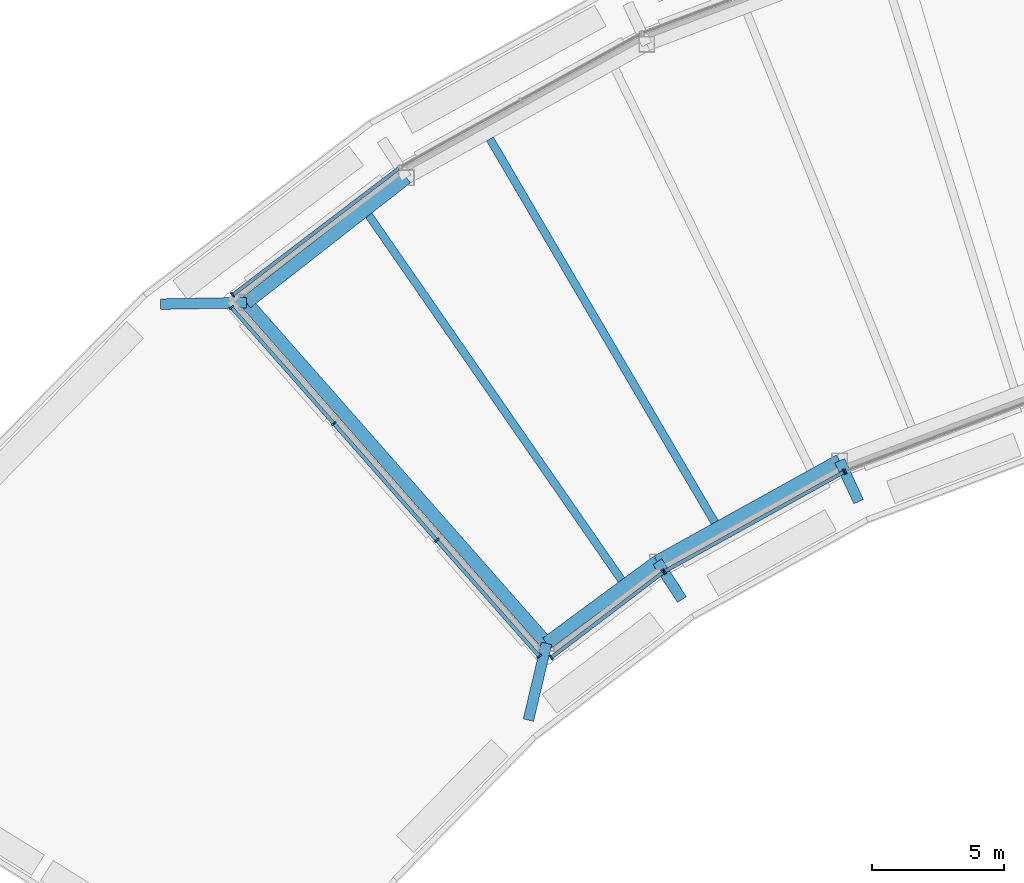
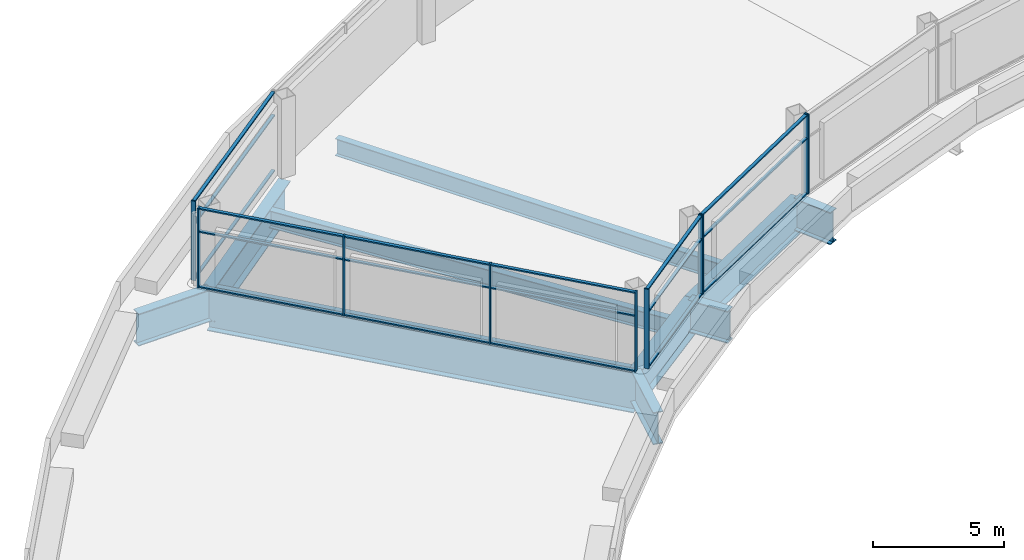
# One storey, part 3 of 17: 28 members, 10 beams, 5 elements without a shape of their own.
"""IFC4 building model written with IfcOpenShell, lengths in metres."""

import ifcopenshell
import ifcopenshell.guid

model = None  # the IFC model being written
_history = None  # IfcOwnerHistory: only IFC2X3 demands one
_inside = {}  # id of a spatial element -> (the spatial element, [elements in it])
_under = {}  # id of a project, library or spatial element -> (it, [spatial elements below it])
_declared = {}  # id of a project -> (the project, [libraries it declares])
_typed = {}  # id of a type object -> (the type object, [elements of that type])
_made_of = {}  # id of a material, layer set ... -> (it, [elements and type objects made of it])


def new_model(schema):
    """Start an empty IFC model of exactly this schema.

    Asked for "IFC4X3", IfcOpenShell would pick the latest addendum, in which some entities
    have other attributes; the version numbers below select the first issue.
    IFC2X3 requires an IfcOwnerHistory on every rooted entity: one is made here for all.
    """
    global model, _history
    if schema == "IFC4X3":
        model = ifcopenshell.file(schema_version=(4, 3, 0, 0))
    else:
        model = ifcopenshell.file(schema=schema)
    _inside.clear()
    _under.clear()
    _declared.clear()
    _typed.clear()
    _made_of.clear()
    _history = None
    if model.schema == "IFC2X3":
        org = make("IfcOrganization", Name="unknown")
        user = make(
            "IfcPersonAndOrganization",
            ThePerson=make("IfcPerson", FamilyName="unknown"),
            TheOrganization=org,
        )
        app = make(
            "IfcApplication",
            ApplicationDeveloper=org,
            Version="unknown",
            ApplicationFullName="unknown",
            ApplicationIdentifier="unknown",
        )
        _history = make(
            "IfcOwnerHistory",
            OwningUser=user,
            OwningApplication=app,
            ChangeAction="ADDED",
            CreationDate=0,
        )
    return model


def make(cls, **values):
    """One entity of the class cls with the attributes given. An attribute that is None is left unset."""
    return model.create_entity(
        cls, **{name: value for name, value in values.items() if value is not None}
    )


def rooted(cls, **values):
    """An entity with a GlobalId (a new one), such as an element, a storey or a relation."""
    return make(cls, GlobalId=ifcopenshell.guid.new(), OwnerHistory=_history, **values)


def si_unit(unit_type, name, prefix=None):
    """IfcSIUnit, for example si_unit("LENGTHUNIT", "METRE", prefix="MILLI")."""
    return make("IfcSIUnit", UnitType=unit_type, Prefix=prefix, Name=name)


def assignment(units):
    """IfcUnitAssignment: the units of a project."""
    return None if units is None else make("IfcUnitAssignment", Units=units)


def point(xyz):
    """IfcCartesianPoint."""
    return None if xyz is None else make("IfcCartesianPoint", Coordinates=xyz)


def direction(xyz):
    """IfcDirection."""
    return None if xyz is None else make("IfcDirection", DirectionRatios=xyz)


def frame(location, z_axis=None, x_axis=None):
    """IfcAxis2Placement3D, a coordinate frame: its origin and axes. An axis left out is left unset."""
    return make(
        "IfcAxis2Placement3D",
        Location=point(location),
        Axis=direction(z_axis),
        RefDirection=direction(x_axis),
    )


def frame_2d(location, x_axis=None):
    """IfcAxis2Placement2D, a coordinate frame in the plane: its origin and x axis."""
    return make(
        "IfcAxis2Placement2D", Location=point(location), RefDirection=direction(x_axis)
    )


def origin():
    """The frame at (0, 0, 0) with its axes left unset."""
    return frame((0.0, 0.0, 0.0))


def origin_2d():
    """The frame at (0, 0) in the plane with its x axis left unset."""
    return frame_2d((0.0, 0.0))


def place(relative_to, where):
    """IfcLocalPlacement: puts the frame where relative to a parent placement (None: the world)."""
    return make(
        "IfcLocalPlacement", PlacementRelTo=relative_to, RelativePlacement=where
    )


def context(
    kind, dimensions, precision=None, world=None, true_north=None, identifier=None
):
    """IfcGeometricRepresentationContext, for example the 3D "Model" context."""
    return make(
        "IfcGeometricRepresentationContext",
        ContextIdentifier=identifier,
        ContextType=kind,
        CoordinateSpaceDimension=dimensions,
        Precision=precision,
        WorldCoordinateSystem=world,
        TrueNorth=true_north,
    )


def subcontext(parent, identifier, kind, view, scale=None):
    """IfcGeometricRepresentationSubContext, for example "Body" below "Model"."""
    return make(
        "IfcGeometricRepresentationSubContext",
        ContextIdentifier=identifier,
        ContextType=kind,
        ParentContext=parent,
        TargetScale=scale,
        TargetView=view,
    )


def project(units=None, contexts=None):
    """IfcProject with its units and contexts."""
    return rooted(
        "IfcProject",
        Name="project",
        RepresentationContexts=contexts,
        UnitsInContext=assignment(units),
    )


def spatial(cls, under=None, at=None, **own):
    """A site, building, storey or space (cls), placed at a placement, below another one or the project."""
    s = rooted(cls, ObjectPlacement=at, **own)
    if under is not None:
        _under.setdefault(under.id(), (under, []))[1].append(s)
    return s


def profile(cls, at=None, kind="AREA", **sizes):
    """A parametric profile (cls). Its sizes go by their IFC names, for example OverallWidth=200.0."""
    return make(cls, ProfileType=kind, Position=at, **sizes)


def rectangle(**sizes):
    """IfcRectangleProfileDef."""
    return profile("IfcRectangleProfileDef", **sizes)


def i_section(**sizes):
    """IfcIShapeProfileDef."""
    return profile("IfcIShapeProfileDef", **sizes)


def extrude(swept, where, along, depth):
    """IfcExtrudedAreaSolid: the profile swept, set in the frame where, extruded along a direction by depth."""
    return make(
        "IfcExtrudedAreaSolid",
        SweptArea=swept,
        Position=where,
        ExtrudedDirection=direction(along),
        Depth=depth,
    )


def shape(context_of_items, identifier, shape_type, items):
    """IfcShapeRepresentation: the items that make up one representation, for example the "Body"."""
    return make(
        "IfcShapeRepresentation",
        ContextOfItems=context_of_items,
        RepresentationIdentifier=identifier,
        RepresentationType=shape_type,
        Items=items,
    )


def material(Name=None, Category=None):
    """IfcMaterial."""
    return make("IfcMaterial", Name=Name, Category=Category)


def layer(
    of_material, thickness, ventilated=None, Name=None, Category=None, Priority=None
):
    """IfcMaterialLayer: one layer of a wall or slab, of a material (None: an air gap)."""
    return make(
        "IfcMaterialLayer",
        Material=of_material,
        LayerThickness=thickness,
        IsVentilated=ventilated,
        Name=Name,
        Category=Category,
        Priority=Priority,
    )


def layer_set(layers, Name=None):
    """IfcMaterialLayerSet."""
    return make("IfcMaterialLayerSet", MaterialLayers=layers, LayerSetName=Name)


def material_profile(
    of_material, cross_section, Name=None, Category=None, Priority=None
):
    """IfcMaterialProfile: a cross section and its material."""
    return make(
        "IfcMaterialProfile",
        Name=Name,
        Material=of_material,
        Profile=cross_section,
        Priority=Priority,
        Category=Category,
    )


def profile_set(profiles, Name=None, composite=None):
    """IfcMaterialProfileSet."""
    return make(
        "IfcMaterialProfileSet",
        Name=Name,
        MaterialProfiles=profiles,
        CompositeProfile=composite,
    )


def made_of(thing, what):
    """Note that an element or type object is made of a material, layer set ...; save() writes the relation."""
    if what is not None:
        _made_of.setdefault(what.id(), (what, []))[1].append(thing)
    return thing


def type_object(cls, material=None, **own):
    """A type object (cls), such as IfcWallType, which elements share."""
    return made_of(rooted(cls, **own), material)


def element(
    cls,
    number,
    at=None,
    inside=None,
    cuts=None,
    type_object=None,
    material=None,
    context=None,
    identifier="Body",
    shape_type=None,
    held_by="IfcProductDefinitionShape",
    body=None,
    shapes=None,
    **own,
):
    """One element of the class cls, such as IfcWall. Its Tag is "e" and its number.

    at: its placement. inside: the storey or other place that contains it. cuts: it is an
    opening in that element (IfcRelVoidsElement). A single representation is given by context,
    identifier, shape_type and body (its items); several are given by shapes. held_by: the class
    of the entity that holds the representations. save() writes the other relations.
    """
    e = rooted(cls, Tag="e%d" % number, ObjectPlacement=at, **own)
    if body is not None:
        shapes = [shape(context, identifier, shape_type, body)]
    if shapes is not None:
        e.Representation = make(held_by, Representations=shapes)
    if inside is not None:
        _inside.setdefault(inside.id(), (inside, []))[1].append(e)
    if cuts is not None:
        rooted(
            "IfcRelVoidsElement", RelatingBuildingElement=cuts, RelatedOpeningElement=e
        )
    if type_object is not None:
        _typed.setdefault(type_object.id(), (type_object, []))[1].append(e)
    return made_of(e, material)


def aggregate(whole, parts):
    """IfcRelAggregates: a whole, such as a stair, and the parts it consists of."""
    return rooted("IfcRelAggregates", RelatingObject=whole, RelatedObjects=parts)


def save(model, path):
    """Write the relations noted so far, then the file.

    IfcRelAggregates (storeys below a building ...), IfcRelContainedInSpatialStructure (elements
    in a storey), IfcRelDefinesByType, IfcRelAssociatesMaterial and IfcRelDeclares: one each for
    every whole, place, type object, material and project.
    """
    for whole, parts in _under.values():
        aggregate(whole, parts)
    for where, things in _inside.values():
        rooted(
            "IfcRelContainedInSpatialStructure",
            RelatedElements=things,
            RelatingStructure=where,
        )
    for kind, things in _typed.values():
        rooted("IfcRelDefinesByType", RelatedObjects=things, RelatingType=kind)
    for what, things in _made_of.values():
        rooted("IfcRelAssociatesMaterial", RelatedObjects=things, RelatingMaterial=what)
    for by, libraries in _declared.values():
        rooted("IfcRelDeclares", RelatingContext=by, RelatedDefinitions=libraries)
    model.write(path)


model = new_model("IFC4")

# Units and contexts
model_context = context("Model", 3, precision=1e-05, world=origin(), true_north=direction((0.0, 1.0)))
body_context = subcontext(model_context, "Body", "Model", "MODEL_VIEW")
ifc_project = project(units=[si_unit("LENGTHUNIT", "METRE"), si_unit("AREAUNIT", "SQUARE_METRE"), si_unit("VOLUMEUNIT", "CUBIC_METRE"), si_unit("PLANEANGLEUNIT", "RADIAN"), si_unit("MASSUNIT", "GRAM", prefix="KILO")], contexts=[model_context])

# Site, building, storey
site_placement = place(None, origin())
site = spatial("IfcSite", under=ifc_project, at=site_placement, CompositionType="ELEMENT")
building_placement = place(site_placement, origin())
building = spatial("IfcBuilding", under=site, at=building_placement, Name="Tuul Gate Civic Tower", CompositionType="ELEMENT")
storey_placement = place(building_placement, frame((0.0, 0.0, 360.10009765625)))
storey = spatial("IfcBuildingStorey", under=building, at=storey_placement, Name="Crown tier 1 lower", CompositionType="ELEMENT", Elevation=360.10009765625)

# Curtain wall, member
ifc_material_1 = material(Name="Aluminium", Category="aluminium")
ifc_layer = layer(ifc_material_1, 0.199951171875)
ifc_layer_set = layer_set([ifc_layer], Name="Aluminium")
curtain_wall_type = type_object("IfcCurtainWallType", Name="Curtain wall CW5", PredefinedType="NOTDEFINED", material=ifc_layer_set)
curtain_wall_1_placement = place(storey_placement, origin())
curtain_wall_1 = element("IfcCurtainWall", 1, at=curtain_wall_1_placement, inside=storey, type_object=curtain_wall_type, Name="Curtain wall CW5", PredefinedType="NOTDEFINED")
ifc_material_2 = material(Name="Aluminium", Category="aluminium")
ifc_material_profile_1 = material_profile(ifc_material_2, rectangle(XDim=0.199951171875, YDim=0.06005859375, at=origin_2d()), Name="CW5 mullion")
ifc_profile_set_1 = profile_set([ifc_material_profile_1], Name="Aluminium")
member_type_1 = type_object("IfcMemberType", Name="CW5 mullion", PredefinedType="MULLION", material=ifc_profile_set_1)
member_1_placement = place(storey_placement, frame((-43.68212890625, -4.308837890625, 0.0), z_axis=(0.0, 0.0, 1.0), x_axis=(0.605782498172, -0.795630294112, 0.0)))
member_1 = element("IfcMember", 2, at=member_1_placement, type_object=member_type_1, Name="Mullion", PredefinedType="MULLION", context=body_context, shape_type="SweptSolid", body=[
    extrude(rectangle(XDim=0.199951171875, YDim=0.06005859375, at=origin_2d()), origin(), (0.0, 0.0, 1.0), 3.699951171875),
])

# Curtain wall, members
curtain_wall_2_placement = place(storey_placement, origin())
curtain_wall_2 = element("IfcCurtainWall", 3, at=curtain_wall_2_placement, inside=storey, type_object=curtain_wall_type, Name="Curtain wall CW5", PredefinedType="NOTDEFINED")
member_2_placement = place(storey_placement, frame((-43.729248046875, -4.786376953125, 0.0), z_axis=(0.0, 0.0, 1.0), x_axis=(0.749793201681, 0.661672241153, 0.0)))
member_2 = element("IfcMember", 4, at=member_2_placement, type_object=member_type_1, Name="Mullion", PredefinedType="MULLION", context=body_context, shape_type="SweptSolid", body=[
    extrude(rectangle(XDim=0.199951171875, YDim=0.06005859375, at=origin_2d()), origin(), (0.0, 0.0, 1.0), 3.699951171875),
])
member_3_placement = place(storey_placement, frame((-39.85693359375, -9.17431640625, 0.0), z_axis=(0.0, 0.0, 1.0), x_axis=(0.749793201681, 0.661672241153, 0.0)))
member_3 = element("IfcMember", 5, at=member_3_placement, type_object=member_type_1, Name="Mullion", PredefinedType="MULLION", context=body_context, shape_type="SweptSolid", body=[
    extrude(rectangle(XDim=0.199951171875, YDim=0.06005859375, at=origin_2d()), origin(), (0.0, 0.0, 1.0), 3.699951171875),
])
member_4_placement = place(storey_placement, frame((-35.965087890625, -13.584716796875, 0.0), z_axis=(0.0, 0.0, 1.0), x_axis=(0.749793201681, 0.661672241153, 0.0)))
member_4 = element("IfcMember", 6, at=member_4_placement, type_object=member_type_1, Name="Mullion", PredefinedType="MULLION", context=body_context, shape_type="SweptSolid", body=[
    extrude(rectangle(XDim=0.199951171875, YDim=0.06005859375, at=origin_2d()), origin(), (0.0, 0.0, 1.0), 3.699951171875),
])
member_5_placement = place(storey_placement, frame((-32.0927734375, -17.972412109375, 0.0), z_axis=(0.0, 0.0, 1.0), x_axis=(0.749793201681, 0.661672241153, 0.0)))
member_5 = element("IfcMember", 7, at=member_5_placement, type_object=member_type_1, Name="Mullion", PredefinedType="MULLION", context=body_context, shape_type="SweptSolid", body=[
    extrude(rectangle(XDim=0.199951171875, YDim=0.06005859375, at=origin_2d()), origin(), (0.0, 0.0, 1.0), 3.699951171875),
])

curtain_wall_3_placement = place(storey_placement, origin())
curtain_wall_3 = element("IfcCurtainWall", 8, at=curtain_wall_3_placement, inside=storey, type_object=curtain_wall_type, Name="Curtain wall CW5", PredefinedType="NOTDEFINED")
member_6_placement = place(storey_placement, frame((-31.64208984375, -18.016845703125, 0.0), z_axis=(0.0, 0.0, 1.0), x_axis=(-0.605752057949, 0.79565346998, 0.0)))
member_6 = element("IfcMember", 9, at=member_6_placement, type_object=member_type_1, Name="Mullion", PredefinedType="MULLION", context=body_context, shape_type="SweptSolid", body=[
    extrude(rectangle(XDim=0.199951171875, YDim=0.06005859375, at=origin_2d()), origin(), (0.0, 0.0, 1.0), 3.699951171875),
])
member_7_placement = place(storey_placement, frame((-27.407958984375, -14.793212890625, 0.0), z_axis=(0.0, 0.0, 1.0), x_axis=(-0.605752057949, 0.79565346998, 0.0)))
member_7 = element("IfcMember", 10, at=member_7_placement, type_object=member_type_1, Name="Mullion", PredefinedType="MULLION", context=body_context, shape_type="SweptSolid", body=[
    extrude(rectangle(XDim=0.199951171875, YDim=0.06005859375, at=origin_2d()), origin(), (0.0, 0.0, 1.0), 3.699951171875),
])

curtain_wall_4_placement = place(storey_placement, origin())
curtain_wall_4 = element("IfcCurtainWall", 11, at=curtain_wall_4_placement, inside=storey, type_object=curtain_wall_type, Name="Curtain wall CW5", PredefinedType="NOTDEFINED")
member_8_placement = place(storey_placement, frame((-27.357666015625, -14.760498046875, 0.0), z_axis=(0.0, 0.0, 1.0), x_axis=(-0.484784498431, 0.874633631917, 0.0)))
member_8 = element("IfcMember", 12, at=member_8_placement, type_object=member_type_1, Name="Mullion", PredefinedType="MULLION", context=body_context, shape_type="SweptSolid", body=[
    extrude(rectangle(XDim=0.199951171875, YDim=0.06005859375, at=origin_2d()), origin(), (0.0, 0.0, 1.0), 3.699951171875),
])
member_9_placement = place(storey_placement, frame((-20.57421875, -11.00048828125, 0.0), z_axis=(0.0, 0.0, 1.0), x_axis=(-0.484784498431, 0.874633631917, 0.0)))
member_9 = element("IfcMember", 13, at=member_9_placement, type_object=member_type_1, Name="Mullion", PredefinedType="MULLION", context=body_context, shape_type="SweptSolid", body=[
    extrude(rectangle(XDim=0.199951171875, YDim=0.06005859375, at=origin_2d()), origin(), (0.0, 0.0, 1.0), 3.699951171875),
])

# Curtain wall, member
curtain_wall_5_placement = place(storey_placement, origin())
curtain_wall_5 = element("IfcCurtainWall", 14, at=curtain_wall_5_placement, inside=storey, type_object=curtain_wall_type, Name="Curtain wall CW5", PredefinedType="NOTDEFINED")
member_10_placement = place(storey_placement, frame((-20.52001953125, -10.975341796875, 0.0), z_axis=(0.0, 0.0, 1.0), x_axis=(-0.353743883051, 0.935342325143, 0.0)))
member_10 = element("IfcMember", 15, at=member_10_placement, type_object=member_type_1, Name="Mullion", PredefinedType="MULLION", context=body_context, shape_type="SweptSolid", body=[
    extrude(rectangle(XDim=0.199951171875, YDim=0.06005859375, at=origin_2d()), origin(), (0.0, 0.0, 1.0), 3.699951171875),
])
aggregate(curtain_wall_5, [member_10])

# Member
ifc_material_3 = material(Name="Aluminium", Category="aluminium")
ifc_material_profile_2 = material_profile(ifc_material_3, rectangle(XDim=0.139892578125, YDim=0.06005859375, at=origin_2d()), Name="CW5 transom")
ifc_profile_set_2 = profile_set([ifc_material_profile_2], Name="Aluminium")
member_type_2 = type_object("IfcMemberType", Name="CW5 transom", PredefinedType="USERDEFINED", material=ifc_profile_set_2)
member_11_placement = place(storey_placement, frame((-37.40869140625, 0.4677734375, 0.02978515625), z_axis=(-0.795615048979, -0.605802520495, 0.0), x_axis=(0.605802520495, -0.795615048979, 0.0)))
member_11 = element("IfcMember", 16, at=member_11_placement, type_object=member_type_2, Name="Transom", ObjectType="TRANSOM", PredefinedType="USERDEFINED", context=body_context, shape_type="SweptSolid", body=[
    extrude(rectangle(XDim=0.139892578125, YDim=0.06005859375, at=origin_2d()), origin(), (0.0, 0.0, 1.0), 7.85498046875),
])

member_12_placement = place(storey_placement, frame((-37.40869140625, 0.4677734375, 2.599853515625), z_axis=(-0.795615048979, -0.605802520495, 0.0), x_axis=(0.605802520495, -0.795615048979, 0.0)))
member_12 = element("IfcMember", 17, at=member_12_placement, type_object=member_type_2, Name="Transom", ObjectType="TRANSOM", PredefinedType="USERDEFINED", context=body_context, shape_type="SweptSolid", body=[
    extrude(rectangle(XDim=0.139892578125, YDim=0.06005859375, at=origin_2d()), origin(), (0.0, 0.0, 1.0), 7.85498046875),
])

member_13_placement = place(storey_placement, frame((-37.40869140625, 0.4677734375, 3.669921875), z_axis=(-0.795615048979, -0.605802520495, 0.0), x_axis=(0.605802520495, -0.795615048979, 0.0)))
member_13 = element("IfcMember", 18, at=member_13_placement, type_object=member_type_2, Name="Transom", ObjectType="TRANSOM", PredefinedType="USERDEFINED", context=body_context, shape_type="SweptSolid", body=[
    extrude(rectangle(XDim=0.139892578125, YDim=0.06005859375, at=origin_2d()), origin(), (0.0, 0.0, 1.0), 7.85498046875),
])

aggregate(curtain_wall_1, [member_1, member_11, member_12, member_13])

member_14_placement = place(storey_placement, frame((-43.709228515625, -4.80908203125, 0.02978515625), z_axis=(0.661662066091, -0.749802180776, 0.0), x_axis=(0.749802180776, 0.661662066091, 0.0)))
member_14 = element("IfcMember", 19, at=member_14_placement, type_object=member_type_2, Name="Transom", ObjectType="TRANSOM", PredefinedType="USERDEFINED", context=body_context, shape_type="SweptSolid", body=[
    extrude(rectangle(XDim=0.139892578125, YDim=0.06005859375, at=origin_2d()), origin(), (0.0, 0.0, 1.0), 5.7919921875),
])

member_15_placement = place(storey_placement, frame((-43.709228515625, -4.80908203125, 2.599853515625), z_axis=(0.661662066091, -0.749802180776, 0.0), x_axis=(0.749802180776, 0.661662066091, 0.0)))
member_15 = element("IfcMember", 20, at=member_15_placement, type_object=member_type_2, Name="Transom", ObjectType="TRANSOM", PredefinedType="USERDEFINED", context=body_context, shape_type="SweptSolid", body=[
    extrude(rectangle(XDim=0.139892578125, YDim=0.06005859375, at=origin_2d()), origin(), (0.0, 0.0, 1.0), 5.7919921875),
])

member_16_placement = place(storey_placement, frame((-43.709228515625, -4.80908203125, 3.669921875), z_axis=(0.661662066091, -0.749802180776, 0.0), x_axis=(0.749802180776, 0.661662066091, 0.0)))
member_16 = element("IfcMember", 21, at=member_16_placement, type_object=member_type_2, Name="Transom", ObjectType="TRANSOM", PredefinedType="USERDEFINED", context=body_context, shape_type="SweptSolid", body=[
    extrude(rectangle(XDim=0.139892578125, YDim=0.06005859375, at=origin_2d()), origin(), (0.0, 0.0, 1.0), 5.7919921875),
])

member_17_placement = place(storey_placement, frame((-39.837158203125, -9.19677734375, 0.02978515625), z_axis=(0.661660469075, -0.749803590058, 0.0), x_axis=(0.749803590058, 0.661660469075, 0.0)))
member_17 = element("IfcMember", 22, at=member_17_placement, type_object=member_type_2, Name="Transom", ObjectType="TRANSOM", PredefinedType="USERDEFINED", context=body_context, shape_type="SweptSolid", body=[
    extrude(rectangle(XDim=0.139892578125, YDim=0.06005859375, at=origin_2d()), origin(), (0.0, 0.0, 1.0), 5.822265625),
])

member_18_placement = place(storey_placement, frame((-39.837158203125, -9.19677734375, 2.599853515625), z_axis=(0.661660469075, -0.749803590058, 0.0), x_axis=(0.749803590058, 0.661660469075, 0.0)))
member_18 = element("IfcMember", 23, at=member_18_placement, type_object=member_type_2, Name="Transom", ObjectType="TRANSOM", PredefinedType="USERDEFINED", context=body_context, shape_type="SweptSolid", body=[
    extrude(rectangle(XDim=0.139892578125, YDim=0.06005859375, at=origin_2d()), origin(), (0.0, 0.0, 1.0), 5.822265625),
])

member_19_placement = place(storey_placement, frame((-39.837158203125, -9.19677734375, 3.669921875), z_axis=(0.661660469075, -0.749803590058, 0.0), x_axis=(0.749803590058, 0.661660469075, 0.0)))
member_19 = element("IfcMember", 24, at=member_19_placement, type_object=member_type_2, Name="Transom", ObjectType="TRANSOM", PredefinedType="USERDEFINED", context=body_context, shape_type="SweptSolid", body=[
    extrude(rectangle(XDim=0.139892578125, YDim=0.06005859375, at=origin_2d()), origin(), (0.0, 0.0, 1.0), 5.822265625),
])

member_20_placement = place(storey_placement, frame((-35.945068359375, -13.607177734375, 0.02978515625), z_axis=(0.661662066091, -0.749802180776, 0.0), x_axis=(0.749802180776, 0.661662066091, 0.0)))
member_20 = element("IfcMember", 25, at=member_20_placement, type_object=member_type_2, Name="Transom", ObjectType="TRANSOM", PredefinedType="USERDEFINED", context=body_context, shape_type="SweptSolid", body=[
    extrude(rectangle(XDim=0.139892578125, YDim=0.06005859375, at=origin_2d()), origin(), (0.0, 0.0, 1.0), 5.7919921875),
])

member_21_placement = place(storey_placement, frame((-35.945068359375, -13.607177734375, 2.599853515625), z_axis=(0.661662066091, -0.749802180776, 0.0), x_axis=(0.749802180776, 0.661662066091, 0.0)))
member_21 = element("IfcMember", 26, at=member_21_placement, type_object=member_type_2, Name="Transom", ObjectType="TRANSOM", PredefinedType="USERDEFINED", context=body_context, shape_type="SweptSolid", body=[
    extrude(rectangle(XDim=0.139892578125, YDim=0.06005859375, at=origin_2d()), origin(), (0.0, 0.0, 1.0), 5.7919921875),
])

member_22_placement = place(storey_placement, frame((-35.945068359375, -13.607177734375, 3.669921875), z_axis=(0.661662066091, -0.749802180776, 0.0), x_axis=(0.749802180776, 0.661662066091, 0.0)))
member_22 = element("IfcMember", 27, at=member_22_placement, type_object=member_type_2, Name="Transom", ObjectType="TRANSOM", PredefinedType="USERDEFINED", context=body_context, shape_type="SweptSolid", body=[
    extrude(rectangle(XDim=0.139892578125, YDim=0.06005859375, at=origin_2d()), origin(), (0.0, 0.0, 1.0), 5.7919921875),
])

aggregate(curtain_wall_2, [member_2, member_3, member_4, member_5, member_14, member_15, member_16, member_17, member_18, member_19, member_20, member_21, member_22])

member_23_placement = place(storey_placement, frame((-31.6181640625, -17.99853515625, 0.02978515625), z_axis=(0.795658535859, 0.605745403874, 0.0), x_axis=(-0.605745403874, 0.795658535859, 0.0)))
member_23 = element("IfcMember", 28, at=member_23_placement, type_object=member_type_2, Name="Transom", ObjectType="TRANSOM", PredefinedType="USERDEFINED", context=body_context, shape_type="SweptSolid", body=[
    extrude(rectangle(XDim=0.139892578125, YDim=0.06005859375, at=origin_2d()), origin(), (0.0, 0.0, 1.0), 5.26171875),
])

member_24_placement = place(storey_placement, frame((-31.6181640625, -17.99853515625, 2.599853515625), z_axis=(0.795658535859, 0.605745403874, 0.0), x_axis=(-0.605745403874, 0.795658535859, 0.0)))
member_24 = element("IfcMember", 29, at=member_24_placement, type_object=member_type_2, Name="Transom", ObjectType="TRANSOM", PredefinedType="USERDEFINED", context=body_context, shape_type="SweptSolid", body=[
    extrude(rectangle(XDim=0.139892578125, YDim=0.06005859375, at=origin_2d()), origin(), (0.0, 0.0, 1.0), 5.26171875),
])

member_25_placement = place(storey_placement, frame((-31.6181640625, -17.99853515625, 3.669921875), z_axis=(0.795658535859, 0.605745403874, 0.0), x_axis=(-0.605745403874, 0.795658535859, 0.0)))
member_25 = element("IfcMember", 30, at=member_25_placement, type_object=member_type_2, Name="Transom", ObjectType="TRANSOM", PredefinedType="USERDEFINED", context=body_context, shape_type="SweptSolid", body=[
    extrude(rectangle(XDim=0.139892578125, YDim=0.06005859375, at=origin_2d()), origin(), (0.0, 0.0, 1.0), 5.26171875),
])

aggregate(curtain_wall_3, [member_6, member_7, member_23, member_24, member_25])

member_26_placement = place(storey_placement, frame((-27.33154296875, -14.745849609375, 0.02978515625), z_axis=(0.87463720134, 0.48477805853, 0.0), x_axis=(-0.48477805853, 0.87463720134, 0.0)))
member_26 = element("IfcMember", 31, at=member_26_placement, type_object=member_type_2, Name="Transom", ObjectType="TRANSOM", PredefinedType="USERDEFINED", context=body_context, shape_type="SweptSolid", body=[
    extrude(rectangle(XDim=0.139892578125, YDim=0.06005859375, at=origin_2d()), origin(), (0.0, 0.0, 1.0), 7.69580078125),
])

member_27_placement = place(storey_placement, frame((-27.33154296875, -14.745849609375, 2.599853515625), z_axis=(0.87463720134, 0.48477805853, 0.0), x_axis=(-0.48477805853, 0.87463720134, 0.0)))
member_27 = element("IfcMember", 32, at=member_27_placement, type_object=member_type_2, Name="Transom", ObjectType="TRANSOM", PredefinedType="USERDEFINED", context=body_context, shape_type="SweptSolid", body=[
    extrude(rectangle(XDim=0.139892578125, YDim=0.06005859375, at=origin_2d()), origin(), (0.0, 0.0, 1.0), 7.69580078125),
])

member_28_placement = place(storey_placement, frame((-27.33154296875, -14.745849609375, 3.669921875), z_axis=(0.87463720134, 0.48477805853, 0.0), x_axis=(-0.48477805853, 0.87463720134, 0.0)))
member_28 = element("IfcMember", 33, at=member_28_placement, type_object=member_type_2, Name="Transom", ObjectType="TRANSOM", PredefinedType="USERDEFINED", context=body_context, shape_type="SweptSolid", body=[
    extrude(rectangle(XDim=0.139892578125, YDim=0.06005859375, at=origin_2d()), origin(), (0.0, 0.0, 1.0), 7.69580078125),
])

aggregate(curtain_wall_4, [member_8, member_9, member_26, member_27, member_28])

# Beams
ifc_material_4 = material(Name="Steel S355", Category="steel")
ifc_material_profile_3 = material_profile(ifc_material_4, i_section(OverallWidth=0.39990234375, OverallDepth=1.5, WebThickness=0.02490234375, FlangeThickness=0.0400390625, at=origin_2d()), Name="PG1500x400x25x40")
ifc_profile_set_3 = profile_set([ifc_material_profile_3], Name="Steel S355")
beam_type_1 = type_object("IfcBeamType", Name="STR-FLOOR BEAM-PG1500x400x25x40", PredefinedType="BEAM", material=ifc_profile_set_3)
beam_1_placement = place(storey_placement, frame((-46.406005859375, -4.65771484375, -1.050048828125), z_axis=(0.999847321655, 0.017473791233, 0.0), x_axis=(-0.017473791233, 0.999847321655, 0.0)))
element("IfcBeam", 34, at=beam_1_placement, inside=storey, type_object=beam_type_1, Name="Ring girder stub", PredefinedType="BEAM", context=body_context, shape_type="SweptSolid", body=[
    extrude(i_section(OverallWidth=0.39990234375, OverallDepth=1.5, WebThickness=0.02490234375, FlangeThickness=0.0400390625, at=origin_2d()), origin(), (0.0, 0.0, 1.0), 3.241455078125),
])
beam_2_placement = place(storey_placement, frame((-32.505615234375, -20.383056640625, -1.050048828125), z_axis=(0.231052078837, 0.972941384085, 0.0), x_axis=(-0.972941384085, 0.231052078837, 0.0)))
element("IfcBeam", 35, at=beam_2_placement, inside=storey, type_object=beam_type_1, Name="Ring girder stub", PredefinedType="BEAM", context=body_context, shape_type="SweptSolid", body=[
    extrude(i_section(OverallWidth=0.39990234375, OverallDepth=1.5, WebThickness=0.02490234375, FlangeThickness=0.0400390625, at=origin_2d()), origin(), (0.0, 0.0, 1.0), 2.980712890625),
])
beam_3_placement = place(storey_placement, frame((-26.698974609375, -15.82470703125, -1.050048828125), z_axis=(-0.546678278331, 0.837342737475, 0.0), x_axis=(-0.837342737475, -0.546678278331, 0.0)))
element("IfcBeam", 36, at=beam_3_placement, inside=storey, type_object=beam_type_1, Name="Ring girder stub", PredefinedType="BEAM", context=body_context, shape_type="SweptSolid", body=[
    extrude(i_section(OverallWidth=0.39990234375, OverallDepth=1.5, WebThickness=0.02490234375, FlangeThickness=0.0400390625, at=origin_2d()), origin(), (0.0, 0.0, 1.0), 1.705078125),
])
beam_4_placement = place(storey_placement, frame((-20.02099609375, -12.123779296875, -1.050048828125), z_axis=(-0.420337445241, 0.907367859321, 0.0), x_axis=(-0.907367859321, -0.420337445241, 0.0)))
element("IfcBeam", 37, at=beam_4_placement, inside=storey, type_object=beam_type_1, Name="Ring girder stub", PredefinedType="BEAM", context=body_context, shape_type="SweptSolid", body=[
    extrude(i_section(OverallWidth=0.39990234375, OverallDepth=1.5, WebThickness=0.02490234375, FlangeThickness=0.0400390625, at=origin_2d()), origin(), (0.0, 0.0, 1.0), 1.705810546875),
])
ifc_material_5 = material(Name="Steel S355", Category="steel")
ifc_material_profile_4 = material_profile(ifc_material_5, i_section(OverallWidth=0.300048828125, OverallDepth=0.800048828125, WebThickness=0.013916015625, FlangeThickness=0.02490234375, at=origin_2d()), Name="PG800x300x14x25")
ifc_profile_set_4 = profile_set([ifc_material_profile_4], Name="Steel S355")
beam_type_2 = type_object("IfcBeamType", Name="STR-FLOOR BEAM-PG800x300x14x25", PredefinedType="BEAM", material=ifc_profile_set_4)
beam_5_placement = place(storey_placement, frame((-25.4599609375, -12.90771484375, -0.7001953125), z_axis=(-0.505775799245, 0.862664964455, 0.0), x_axis=(-0.862664964455, -0.505775799245, 0.0)))
element("IfcBeam", 38, at=beam_5_placement, inside=storey, type_object=beam_type_2, Name="Floor beam", PredefinedType="BEAM", context=body_context, shape_type="SweptSolid", body=[
    extrude(i_section(OverallWidth=0.300048828125, OverallDepth=0.800048828125, WebThickness=0.013916015625, FlangeThickness=0.02490234375, at=origin_2d()), origin(), (0.0, 0.0, 1.0), 16.804443359375),
])
beam_6_placement = place(storey_placement, frame((-28.9853515625, -15.084716796875, -0.7001953125), z_axis=(-0.569618744549, 0.821909049627, 0.0), x_axis=(-0.821909049627, -0.569618744549, 0.0)))
element("IfcBeam", 39, at=beam_6_placement, inside=storey, type_object=beam_type_2, Name="Floor beam", PredefinedType="BEAM", context=body_context, shape_type="SweptSolid", body=[
    extrude(i_section(OverallWidth=0.300048828125, OverallDepth=0.800048828125, WebThickness=0.013916015625, FlangeThickness=0.02490234375, at=origin_2d()), origin(), (0.0, 0.0, 1.0), 16.768310546875),
])
ifc_material_6 = material(Name="Steel S355", Category="steel")
ifc_material_profile_5 = material_profile(ifc_material_6, i_section(OverallWidth=0.5, OverallDepth=1.60009765625, WebThickness=0.02490234375, FlangeThickness=0.044921875, at=origin_2d()), Name="PG1600x500x25x45")
ifc_profile_set_5 = profile_set([ifc_material_profile_5], Name="Steel S355")
beam_type_3 = type_object("IfcBeamType", Name="STR-RING BEAM-PG1600x500x25x45", PredefinedType="BEAM", material=ifc_profile_set_5)
beam_7_placement = place(storey_placement, frame((-37.114013671875, 0.1259765625, -1.10009765625), z_axis=(-0.788044136863, -0.615618744319, 0.0), x_axis=(0.615618744319, -0.788044136863, 0.0)))
element("IfcBeam", 40, at=beam_7_placement, inside=storey, type_object=beam_type_3, Name="Ring girder", PredefinedType="BEAM", context=body_context, shape_type="SweptSolid", body=[
    extrude(i_section(OverallWidth=0.5, OverallDepth=1.60009765625, WebThickness=0.02490234375, FlangeThickness=0.044921875, at=origin_2d()), origin(), (0.0, 0.0, 1.0), 7.678466796875),
])
beam_8_placement = place(storey_placement, frame((-31.81689453125, -17.48291015625, -1.10009765625), z_axis=(0.804902411646, 0.593407202287, 0.0), x_axis=(-0.593407202287, 0.804902411646, 0.0)))
element("IfcBeam", 41, at=beam_8_placement, inside=storey, type_object=beam_type_3, Name="Ring girder", PredefinedType="BEAM", context=body_context, shape_type="SweptSolid", body=[
    extrude(i_section(OverallWidth=0.5, OverallDepth=1.60009765625, WebThickness=0.02490234375, FlangeThickness=0.044921875, at=origin_2d()), origin(), (0.0, 0.0, 1.0), 5.200439453125),
])
beam_9_placement = place(storey_placement, frame((-27.631103515625, -14.39697265625, -1.10009765625), z_axis=(0.87461132365, 0.484824744154, 0.0), x_axis=(-0.484824744154, 0.87461132365, 0.0)))
element("IfcBeam", 42, at=beam_9_placement, inside=storey, type_object=beam_type_3, Name="Ring girder", PredefinedType="BEAM", context=body_context, shape_type="SweptSolid", body=[
    extrude(i_section(OverallWidth=0.5, OverallDepth=1.60009765625, WebThickness=0.02490234375, FlangeThickness=0.044921875, at=origin_2d()), origin(), (0.0, 0.0, 1.0), 7.88134765625),
])
ifc_material_7 = material(Name="Steel S355", Category="steel")
ifc_material_profile_6 = material_profile(ifc_material_7, i_section(OverallWidth=0.5, OverallDepth=1.89990234375, WebThickness=0.02490234375, FlangeThickness=0.0400390625, at=origin_2d()), Name="PG1900x500x25x40")
ifc_profile_set_6 = profile_set([ifc_material_profile_6], Name="Steel S355")
beam_type_4 = type_object("IfcBeamType", Name="STR-RING BEAM-PG1900x500x25x40", PredefinedType="BEAM", material=ifc_profile_set_6)
beam_10_placement = place(storey_placement, frame((-43.1650390625, -4.60107421875, -1.25), z_axis=(0.661025967606, -0.750363025575, 0.0), x_axis=(0.750363025575, 0.661025967606, 0.0)))
element("IfcBeam", 43, at=beam_10_placement, inside=storey, type_object=beam_type_4, Name="Ring girder", PredefinedType="BEAM", context=body_context, shape_type="SweptSolid", body=[
    extrude(i_section(OverallWidth=0.5, OverallDepth=1.89990234375, WebThickness=0.02490234375, FlangeThickness=0.0400390625, at=origin_2d()), origin(), (0.0, 0.0, 1.0), 17.16748046875),
])

save(model, "model.ifc")
